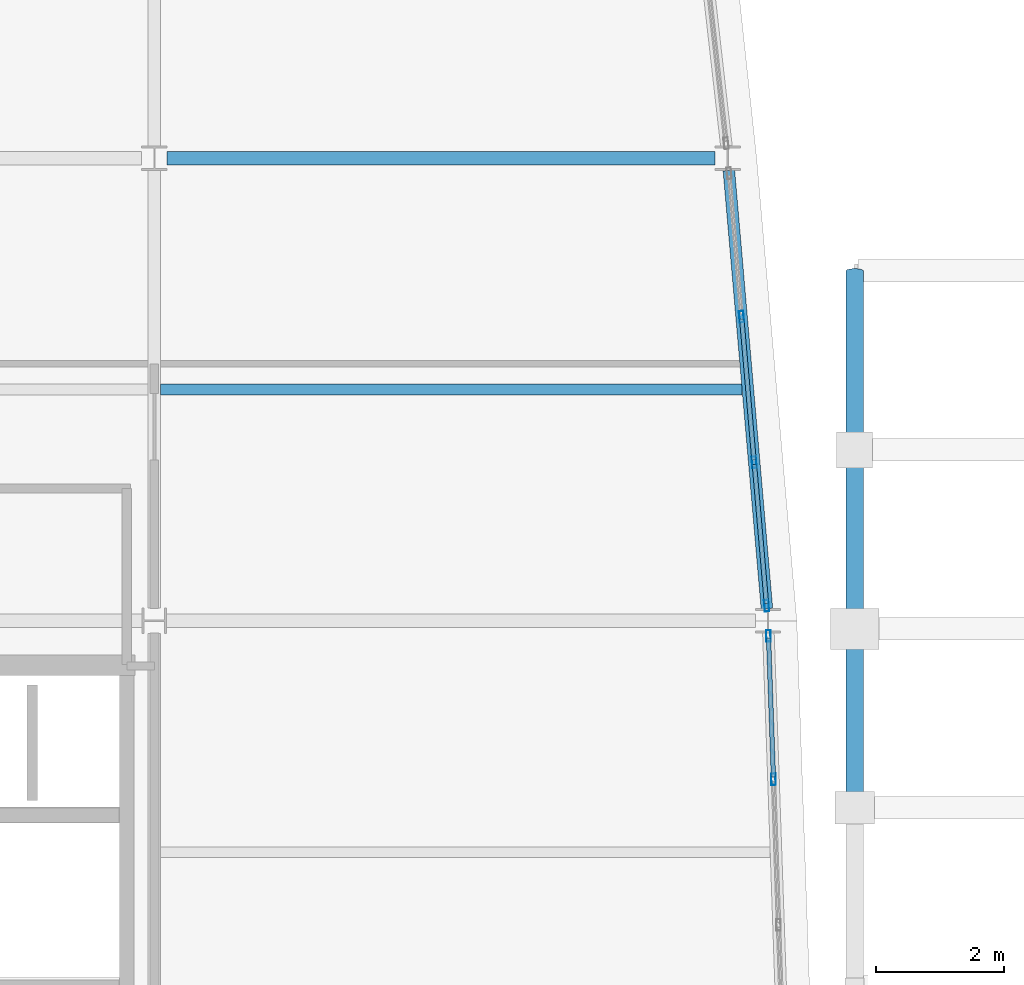
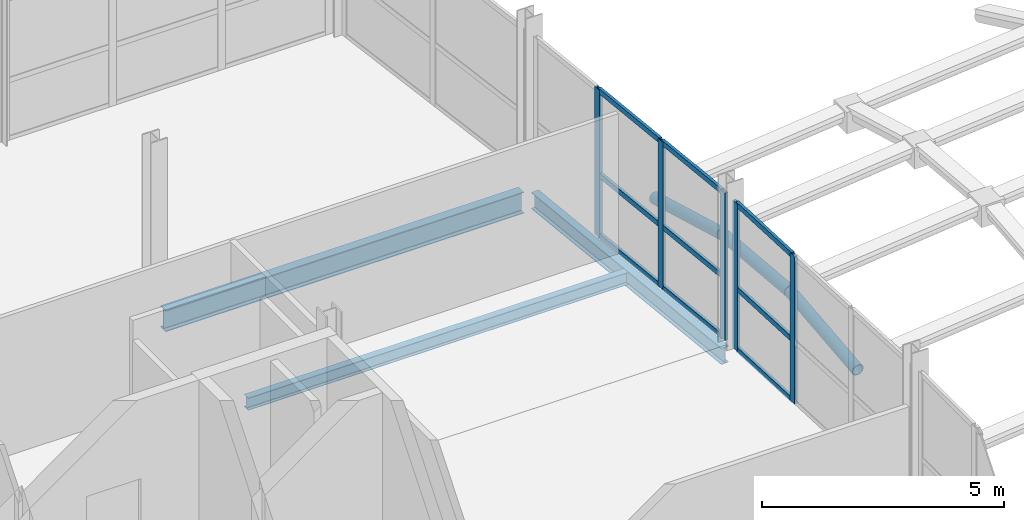
# One storey, part 12 of 36: 14 members, 6 beams, 2 elements without a shape of their own.
"""IFC4 building model written with IfcOpenShell, lengths in metres."""

import ifcopenshell
import ifcopenshell.guid

model = None  # the IFC model being written
_history = None  # IfcOwnerHistory: only IFC2X3 demands one
_inside = {}  # id of a spatial element -> (the spatial element, [elements in it])
_under = {}  # id of a project, library or spatial element -> (it, [spatial elements below it])
_declared = {}  # id of a project -> (the project, [libraries it declares])
_typed = {}  # id of a type object -> (the type object, [elements of that type])
_made_of = {}  # id of a material, layer set ... -> (it, [elements and type objects made of it])


def new_model(schema):
    """Start an empty IFC model of exactly this schema.

    Asked for "IFC4X3", IfcOpenShell would pick the latest addendum, in which some entities
    have other attributes; the version numbers below select the first issue.
    IFC2X3 requires an IfcOwnerHistory on every rooted entity: one is made here for all.
    """
    global model, _history
    if schema == "IFC4X3":
        model = ifcopenshell.file(schema_version=(4, 3, 0, 0))
    else:
        model = ifcopenshell.file(schema=schema)
    _inside.clear()
    _under.clear()
    _declared.clear()
    _typed.clear()
    _made_of.clear()
    _history = None
    if model.schema == "IFC2X3":
        org = make("IfcOrganization", Name="unknown")
        user = make(
            "IfcPersonAndOrganization",
            ThePerson=make("IfcPerson", FamilyName="unknown"),
            TheOrganization=org,
        )
        app = make(
            "IfcApplication",
            ApplicationDeveloper=org,
            Version="unknown",
            ApplicationFullName="unknown",
            ApplicationIdentifier="unknown",
        )
        _history = make(
            "IfcOwnerHistory",
            OwningUser=user,
            OwningApplication=app,
            ChangeAction="ADDED",
            CreationDate=0,
        )
    return model


def make(cls, **values):
    """One entity of the class cls with the attributes given. An attribute that is None is left unset."""
    return model.create_entity(
        cls, **{name: value for name, value in values.items() if value is not None}
    )


def rooted(cls, **values):
    """An entity with a GlobalId (a new one), such as an element, a storey or a relation."""
    return make(cls, GlobalId=ifcopenshell.guid.new(), OwnerHistory=_history, **values)


def si_unit(unit_type, name, prefix=None):
    """IfcSIUnit, for example si_unit("LENGTHUNIT", "METRE", prefix="MILLI")."""
    return make("IfcSIUnit", UnitType=unit_type, Prefix=prefix, Name=name)


def assignment(units):
    """IfcUnitAssignment: the units of a project."""
    return None if units is None else make("IfcUnitAssignment", Units=units)


def point(xyz):
    """IfcCartesianPoint."""
    return None if xyz is None else make("IfcCartesianPoint", Coordinates=xyz)


def direction(xyz):
    """IfcDirection."""
    return None if xyz is None else make("IfcDirection", DirectionRatios=xyz)


def frame(location, z_axis=None, x_axis=None):
    """IfcAxis2Placement3D, a coordinate frame: its origin and axes. An axis left out is left unset."""
    return make(
        "IfcAxis2Placement3D",
        Location=point(location),
        Axis=direction(z_axis),
        RefDirection=direction(x_axis),
    )


def frame_2d(location, x_axis=None):
    """IfcAxis2Placement2D, a coordinate frame in the plane: its origin and x axis."""
    return make(
        "IfcAxis2Placement2D", Location=point(location), RefDirection=direction(x_axis)
    )


def origin():
    """The frame at (0, 0, 0) with its axes left unset."""
    return frame((0.0, 0.0, 0.0))


def origin_2d():
    """The frame at (0, 0) in the plane with its x axis left unset."""
    return frame_2d((0.0, 0.0))


def place(relative_to, where):
    """IfcLocalPlacement: puts the frame where relative to a parent placement (None: the world)."""
    return make(
        "IfcLocalPlacement", PlacementRelTo=relative_to, RelativePlacement=where
    )


def context(
    kind, dimensions, precision=None, world=None, true_north=None, identifier=None
):
    """IfcGeometricRepresentationContext, for example the 3D "Model" context."""
    return make(
        "IfcGeometricRepresentationContext",
        ContextIdentifier=identifier,
        ContextType=kind,
        CoordinateSpaceDimension=dimensions,
        Precision=precision,
        WorldCoordinateSystem=world,
        TrueNorth=true_north,
    )


def subcontext(parent, identifier, kind, view, scale=None):
    """IfcGeometricRepresentationSubContext, for example "Body" below "Model"."""
    return make(
        "IfcGeometricRepresentationSubContext",
        ContextIdentifier=identifier,
        ContextType=kind,
        ParentContext=parent,
        TargetScale=scale,
        TargetView=view,
    )


def project(units=None, contexts=None):
    """IfcProject with its units and contexts."""
    return rooted(
        "IfcProject",
        Name="project",
        RepresentationContexts=contexts,
        UnitsInContext=assignment(units),
    )


def spatial(cls, under=None, at=None, **own):
    """A site, building, storey or space (cls), placed at a placement, below another one or the project."""
    s = rooted(cls, ObjectPlacement=at, **own)
    if under is not None:
        _under.setdefault(under.id(), (under, []))[1].append(s)
    return s


def profile(cls, at=None, kind="AREA", **sizes):
    """A parametric profile (cls). Its sizes go by their IFC names, for example OverallWidth=200.0."""
    return make(cls, ProfileType=kind, Position=at, **sizes)


def hollow_rectangle(**sizes):
    """IfcRectangleHollowProfileDef."""
    return profile("IfcRectangleHollowProfileDef", **sizes)


def hollow_circle(**sizes):
    """IfcCircleHollowProfileDef."""
    return profile("IfcCircleHollowProfileDef", **sizes)


def i_section(**sizes):
    """IfcIShapeProfileDef."""
    return profile("IfcIShapeProfileDef", **sizes)


def extrude(swept, where, along, depth):
    """IfcExtrudedAreaSolid: the profile swept, set in the frame where, extruded along a direction by depth."""
    return make(
        "IfcExtrudedAreaSolid",
        SweptArea=swept,
        Position=where,
        ExtrudedDirection=direction(along),
        Depth=depth,
    )


def shape(context_of_items, identifier, shape_type, items):
    """IfcShapeRepresentation: the items that make up one representation, for example the "Body"."""
    return make(
        "IfcShapeRepresentation",
        ContextOfItems=context_of_items,
        RepresentationIdentifier=identifier,
        RepresentationType=shape_type,
        Items=items,
    )


def material(Name=None, Category=None):
    """IfcMaterial."""
    return make("IfcMaterial", Name=Name, Category=Category)


def layer(
    of_material, thickness, ventilated=None, Name=None, Category=None, Priority=None
):
    """IfcMaterialLayer: one layer of a wall or slab, of a material (None: an air gap)."""
    return make(
        "IfcMaterialLayer",
        Material=of_material,
        LayerThickness=thickness,
        IsVentilated=ventilated,
        Name=Name,
        Category=Category,
        Priority=Priority,
    )


def layer_set(layers, Name=None):
    """IfcMaterialLayerSet."""
    return make("IfcMaterialLayerSet", MaterialLayers=layers, LayerSetName=Name)


def material_profile(
    of_material, cross_section, Name=None, Category=None, Priority=None
):
    """IfcMaterialProfile: a cross section and its material."""
    return make(
        "IfcMaterialProfile",
        Name=Name,
        Material=of_material,
        Profile=cross_section,
        Priority=Priority,
        Category=Category,
    )


def profile_set(profiles, Name=None, composite=None):
    """IfcMaterialProfileSet."""
    return make(
        "IfcMaterialProfileSet",
        Name=Name,
        MaterialProfiles=profiles,
        CompositeProfile=composite,
    )


def made_of(thing, what):
    """Note that an element or type object is made of a material, layer set ...; save() writes the relation."""
    if what is not None:
        _made_of.setdefault(what.id(), (what, []))[1].append(thing)
    return thing


def type_object(cls, material=None, **own):
    """A type object (cls), such as IfcWallType, which elements share."""
    return made_of(rooted(cls, **own), material)


def element(
    cls,
    number,
    at=None,
    inside=None,
    cuts=None,
    type_object=None,
    material=None,
    context=None,
    identifier="Body",
    shape_type=None,
    held_by="IfcProductDefinitionShape",
    body=None,
    shapes=None,
    **own,
):
    """One element of the class cls, such as IfcWall. Its Tag is "e" and its number.

    at: its placement. inside: the storey or other place that contains it. cuts: it is an
    opening in that element (IfcRelVoidsElement). A single representation is given by context,
    identifier, shape_type and body (its items); several are given by shapes. held_by: the class
    of the entity that holds the representations. save() writes the other relations.
    """
    e = rooted(cls, Tag="e%d" % number, ObjectPlacement=at, **own)
    if body is not None:
        shapes = [shape(context, identifier, shape_type, body)]
    if shapes is not None:
        e.Representation = make(held_by, Representations=shapes)
    if inside is not None:
        _inside.setdefault(inside.id(), (inside, []))[1].append(e)
    if cuts is not None:
        rooted(
            "IfcRelVoidsElement", RelatingBuildingElement=cuts, RelatedOpeningElement=e
        )
    if type_object is not None:
        _typed.setdefault(type_object.id(), (type_object, []))[1].append(e)
    return made_of(e, material)


def aggregate(whole, parts):
    """IfcRelAggregates: a whole, such as a stair, and the parts it consists of."""
    return rooted("IfcRelAggregates", RelatingObject=whole, RelatedObjects=parts)


def save(model, path):
    """Write the relations noted so far, then the file.

    IfcRelAggregates (storeys below a building ...), IfcRelContainedInSpatialStructure (elements
    in a storey), IfcRelDefinesByType, IfcRelAssociatesMaterial and IfcRelDeclares: one each for
    every whole, place, type object, material and project.
    """
    for whole, parts in _under.values():
        aggregate(whole, parts)
    for where, things in _inside.values():
        rooted(
            "IfcRelContainedInSpatialStructure",
            RelatedElements=things,
            RelatingStructure=where,
        )
    for kind, things in _typed.values():
        rooted("IfcRelDefinesByType", RelatedObjects=things, RelatingType=kind)
    for what, things in _made_of.values():
        rooted("IfcRelAssociatesMaterial", RelatedObjects=things, RelatingMaterial=what)
    for by, libraries in _declared.values():
        rooted("IfcRelDeclares", RelatingContext=by, RelatedDefinitions=libraries)
    model.write(path)


model = new_model("IFC4")

# Units and contexts
model_context = context("Model", 3, precision=1e-05, world=origin(), true_north=direction((0.0, 1.0)))
body_context = subcontext(model_context, "Body", "Model", "MODEL_VIEW")
ifc_project = project(units=[si_unit("LENGTHUNIT", "METRE"), si_unit("AREAUNIT", "SQUARE_METRE"), si_unit("VOLUMEUNIT", "CUBIC_METRE"), si_unit("PLANEANGLEUNIT", "RADIAN"), si_unit("MASSUNIT", "GRAM", prefix="KILO")], contexts=[model_context])

# Site, building, storey
site_placement = place(None, origin())
site = spatial("IfcSite", under=ifc_project, at=site_placement, CompositionType="ELEMENT")
building_placement = place(site_placement, origin())
building = spatial("IfcBuilding", under=site, at=building_placement, Name="Quillay Park Conservatory", CompositionType="ELEMENT")
storey_placement = place(building_placement, frame((0.0, 0.0, 18.300048828125)))
storey = spatial("IfcBuildingStorey", under=building, at=storey_placement, Name="L04", CompositionType="ELEMENT", Elevation=18.300048828125)

# Beam
ifc_material_1 = material(Name="Steel ASTM A992 Grade 50", Category="steel")
ifc_material_profile_1 = material_profile(ifc_material_1, i_section(OverallWidth=0.166015625, OverallDepth=0.31298828125, WebThickness=0.006591796875, FlangeThickness=0.01123046875, FilletRadius=0.010009765625, at=origin_2d()), Name="W310x45")
ifc_profile_set_1 = profile_set([ifc_material_profile_1], Name="Steel ASTM A992 Grade 50")
beam_type_1 = type_object("IfcBeamType", Name="COMPOSITE FLOOR JOIST W310 X45", PredefinedType="JOIST", material=ifc_profile_set_1)
beam_1_placement = place(storey_placement, frame((19.845947265625, 103.199951171875, -0.3564453125), z_axis=(1.0, 0.0, 0.0), x_axis=(0.0, 1.0, 0.0)))
element("IfcBeam", 1, at=beam_1_placement, inside=storey, type_object=beam_type_1, Name="L04 beam BM-J-0371", PredefinedType="JOIST", context=body_context, shape_type="SweptSolid", body=[
    extrude(i_section(OverallWidth=0.166015625, OverallDepth=0.31298828125, WebThickness=0.006591796875, FlangeThickness=0.01123046875, FilletRadius=0.010009765625, at=origin_2d()), origin(), (0.0, 0.0, 1.0), 9.051513671875),
])

# Curtain wall, members
ifc_material_2 = material(Name="Thermally Broken Anodised Aluminium 6063-T6", Category="aluminium")
ifc_layer = layer(ifc_material_2, 0.179931640625)
ifc_layer_set = layer_set([ifc_layer], Name="UNITISED CURTAIN WALL TOWER (Thermally Broken Anodised Aluminium 6063-T6)")
curtain_wall_type = type_object("IfcCurtainWallType", Name="UNITISED CURTAIN WALL TOWER", PredefinedType="USERDEFINED", material=ifc_layer_set)
curtain_wall_1_placement = place(storey_placement, origin())
curtain_wall_1 = element("IfcCurtainWall", 2, at=curtain_wall_1_placement, inside=storey, type_object=curtain_wall_type, Name="L04 Unitised Curtain Wall 042", ObjectType="UNITISED CURTAIN WALL", PredefinedType="USERDEFINED")
ifc_material_3 = material(Name="Thermally Broken Anodised Aluminium 6063-T6", Category="aluminium")
ifc_material_profile_2 = material_profile(ifc_material_3, hollow_rectangle(XDim=0.070068359375, YDim=0.179931640625, WallThickness=0.00390625, at=origin_2d()), Name="AL70x180x4")
ifc_profile_set_2 = profile_set([ifc_material_profile_2], Name="Thermally Broken Anodised Aluminium 6063-T6")
member_type_1 = type_object("IfcMemberType", Name="CURTAIN WALL MULLION 70 X180", PredefinedType="MULLION", material=ifc_profile_set_2)
member_1_placement = place(storey_placement, frame((29.30810546875, 99.365234375, 0.0), z_axis=(0.0, 0.0, 1.0), x_axis=(0.999397310446, 0.034713338537, 0.0)))
member_1 = element("IfcMember", 3, at=member_1_placement, type_object=member_type_1, Name="CW-T1 mullion 1", PredefinedType="MULLION", context=body_context, shape_type="SweptSolid", body=[
    extrude(hollow_rectangle(XDim=0.070068359375, YDim=0.179931640625, WallThickness=0.00390625, at=origin_2d()), origin(), (0.0, 0.0, 1.0), 3.7119140625),
])
member_2_placement = place(storey_placement, frame((29.3857421875, 97.13330078125, 0.0), z_axis=(0.0, 0.0, 1.0), x_axis=(0.999397310446, 0.034713338537, 0.0)))
member_2 = element("IfcMember", 4, at=member_2_placement, type_object=member_type_1, Name="CW-T1 mullion 2", PredefinedType="MULLION", context=body_context, shape_type="SweptSolid", body=[
    extrude(hollow_rectangle(XDim=0.070068359375, YDim=0.179931640625, WallThickness=0.00390625, at=origin_2d()), origin(), (0.0, 0.0, 1.0), 3.7119140625),
])

curtain_wall_2_placement = place(storey_placement, origin())
curtain_wall_2 = element("IfcCurtainWall", 5, at=curtain_wall_2_placement, inside=storey, type_object=curtain_wall_type, Name="L04 Unitised Curtain Wall 043", ObjectType="UNITISED CURTAIN WALL", PredefinedType="USERDEFINED")
member_3_placement = place(storey_placement, frame((28.88916015625, 104.33349609375, 0.0), z_axis=(0.0, 0.0, 1.0), x_axis=(0.996253548413, 0.086480444465, 0.0)))
member_3 = element("IfcMember", 6, at=member_3_placement, type_object=member_type_1, Name="CW-T1 mullion 2", PredefinedType="MULLION", context=body_context, shape_type="SweptSolid", body=[
    extrude(hollow_rectangle(XDim=0.070068359375, YDim=0.179931640625, WallThickness=0.00390625, at=origin_2d()), origin(), (0.0, 0.0, 1.0), 3.7119140625),
])
member_4_placement = place(storey_placement, frame((29.0859375, 102.06640625, 0.0), z_axis=(0.0, 0.0, 1.0), x_axis=(0.996253548413, 0.086480444465, 0.0)))
member_4 = element("IfcMember", 7, at=member_4_placement, type_object=member_type_1, Name="CW-T1 mullion 3", PredefinedType="MULLION", context=body_context, shape_type="SweptSolid", body=[
    extrude(hollow_rectangle(XDim=0.070068359375, YDim=0.179931640625, WallThickness=0.00390625, at=origin_2d()), origin(), (0.0, 0.0, 1.0), 3.7119140625),
])
member_5_placement = place(storey_placement, frame((29.27978515625, 99.834228515625, 0.0), z_axis=(0.0, 0.0, 1.0), x_axis=(0.996253548413, 0.086480444465, 0.0)))
member_5 = element("IfcMember", 8, at=member_5_placement, type_object=member_type_1, Name="CW-T1 mullion 4", PredefinedType="MULLION", context=body_context, shape_type="SweptSolid", body=[
    extrude(hollow_rectangle(XDim=0.070068359375, YDim=0.179931640625, WallThickness=0.00390625, at=origin_2d()), origin(), (0.0, 0.0, 1.0), 3.7119140625),
])

# Member
ifc_material_4 = material(Name="Thermally Broken Anodised Aluminium 6063-T6", Category="aluminium")
ifc_material_profile_3 = material_profile(ifc_material_4, hollow_rectangle(XDim=0.070068359375, YDim=0.1298828125, WallThickness=0.003173828125, at=origin_2d()), Name="AL70x130x3.2")
ifc_profile_set_3 = profile_set([ifc_material_profile_3], Name="Thermally Broken Anodised Aluminium 6063-T6")
member_type_2 = type_object("IfcMemberType", Name="CURTAIN WALL TRANSOM 70 X130", PredefinedType="USERDEFINED", material=ifc_profile_set_3)
member_6_placement = place(storey_placement, frame((29.309326171875, 99.330078125, 0.034912109375), z_axis=(0.034765508592, -0.999395496994, 0.0), x_axis=(0.999395496994, 0.034765508592, 0.0)))
member_6 = element("IfcMember", 9, at=member_6_placement, type_object=member_type_2, Name="CW-T1 transom 1.1", ObjectType="TRANSOM", PredefinedType="USERDEFINED", context=body_context, shape_type="SweptSolid", body=[
    extrude(hollow_rectangle(XDim=0.070068359375, YDim=0.1298828125, WallThickness=0.003173828125, at=origin_2d()), origin(), (0.0, 0.0, 1.0), 2.162841796875),
])

member_7_placement = place(storey_placement, frame((29.309326171875, 99.330078125, 1.558837890625), z_axis=(0.034765508592, -0.999395496994, 0.0), x_axis=(0.999395496994, 0.034765508592, 0.0)))
member_7 = element("IfcMember", 10, at=member_7_placement, type_object=member_type_2, Name="CW-T1 transom 1.2", ObjectType="TRANSOM", PredefinedType="USERDEFINED", context=body_context, shape_type="SweptSolid", body=[
    extrude(hollow_rectangle(XDim=0.070068359375, YDim=0.1298828125, WallThickness=0.003173828125, at=origin_2d()), origin(), (0.0, 0.0, 1.0), 2.162841796875),
])

member_8_placement = place(storey_placement, frame((29.309326171875, 99.330078125, 3.677001953125), z_axis=(0.034765508592, -0.999395496994, 0.0), x_axis=(0.999395496994, 0.034765508592, 0.0)))
member_8 = element("IfcMember", 11, at=member_8_placement, type_object=member_type_2, Name="CW-T1 transom 1.3", ObjectType="TRANSOM", PredefinedType="USERDEFINED", context=body_context, shape_type="SweptSolid", body=[
    extrude(hollow_rectangle(XDim=0.070068359375, YDim=0.1298828125, WallThickness=0.003173828125, at=origin_2d()), origin(), (0.0, 0.0, 1.0), 2.162841796875),
])

aggregate(curtain_wall_1, [member_1, member_2, member_6, member_7, member_8])

member_9_placement = place(storey_placement, frame((28.89208984375, 104.298583984375, 0.034912109375), z_axis=(0.086452876664, -0.99625594107, 0.0), x_axis=(0.99625594107, 0.086452876664, 0.0)))
member_9 = element("IfcMember", 12, at=member_9_placement, type_object=member_type_2, Name="CW-T1 transom 2.1", ObjectType="TRANSOM", PredefinedType="USERDEFINED", context=body_context, shape_type="SweptSolid", body=[
    extrude(hollow_rectangle(XDim=0.070068359375, YDim=0.1298828125, WallThickness=0.003173828125, at=origin_2d()), origin(), (0.0, 0.0, 1.0), 2.20556640625),
])

member_10_placement = place(storey_placement, frame((28.89208984375, 104.298583984375, 1.558837890625), z_axis=(0.086452876664, -0.99625594107, 0.0), x_axis=(0.99625594107, 0.086452876664, 0.0)))
member_10 = element("IfcMember", 13, at=member_10_placement, type_object=member_type_2, Name="CW-T1 transom 2.2", ObjectType="TRANSOM", PredefinedType="USERDEFINED", context=body_context, shape_type="SweptSolid", body=[
    extrude(hollow_rectangle(XDim=0.070068359375, YDim=0.1298828125, WallThickness=0.003173828125, at=origin_2d()), origin(), (0.0, 0.0, 1.0), 2.20556640625),
])

member_11_placement = place(storey_placement, frame((28.89208984375, 104.298583984375, 3.677001953125), z_axis=(0.086452876664, -0.99625594107, 0.0), x_axis=(0.99625594107, 0.086452876664, 0.0)))
member_11 = element("IfcMember", 14, at=member_11_placement, type_object=member_type_2, Name="CW-T1 transom 2.3", ObjectType="TRANSOM", PredefinedType="USERDEFINED", context=body_context, shape_type="SweptSolid", body=[
    extrude(hollow_rectangle(XDim=0.070068359375, YDim=0.1298828125, WallThickness=0.003173828125, at=origin_2d()), origin(), (0.0, 0.0, 1.0), 2.20556640625),
])

member_12_placement = place(storey_placement, frame((29.0888671875, 102.031494140625, 0.034912109375), z_axis=(0.086498562623, -0.996251975488, 0.0), x_axis=(0.996251975488, 0.086498562623, 0.0)))
member_12 = element("IfcMember", 15, at=member_12_placement, type_object=member_type_2, Name="CW-T1 transom 3.1", ObjectType="TRANSOM", PredefinedType="USERDEFINED", context=body_context, shape_type="SweptSolid", body=[
    extrude(hollow_rectangle(XDim=0.070068359375, YDim=0.1298828125, WallThickness=0.003173828125, at=origin_2d()), origin(), (0.0, 0.0, 1.0), 2.17041015625),
])

member_13_placement = place(storey_placement, frame((29.0888671875, 102.031494140625, 1.558837890625), z_axis=(0.086498562623, -0.996251975488, 0.0), x_axis=(0.996251975488, 0.086498562623, 0.0)))
member_13 = element("IfcMember", 16, at=member_13_placement, type_object=member_type_2, Name="CW-T1 transom 3.2", ObjectType="TRANSOM", PredefinedType="USERDEFINED", context=body_context, shape_type="SweptSolid", body=[
    extrude(hollow_rectangle(XDim=0.070068359375, YDim=0.1298828125, WallThickness=0.003173828125, at=origin_2d()), origin(), (0.0, 0.0, 1.0), 2.17041015625),
])

member_14_placement = place(storey_placement, frame((29.0888671875, 102.031494140625, 3.677001953125), z_axis=(0.086498562623, -0.996251975488, 0.0), x_axis=(0.996251975488, 0.086498562623, 0.0)))
member_14 = element("IfcMember", 17, at=member_14_placement, type_object=member_type_2, Name="CW-T1 transom 3.3", ObjectType="TRANSOM", PredefinedType="USERDEFINED", context=body_context, shape_type="SweptSolid", body=[
    extrude(hollow_rectangle(XDim=0.070068359375, YDim=0.1298828125, WallThickness=0.003173828125, at=origin_2d()), origin(), (0.0, 0.0, 1.0), 2.17041015625),
])

aggregate(curtain_wall_2, [member_3, member_4, member_5, member_9, member_10, member_11, member_12, member_13, member_14])

# Beams
ifc_material_5 = material(Name="Steel S355J2H", Category="steel")
ifc_material_profile_4 = material_profile(ifc_material_5, hollow_circle(Radius=0.136474609375, WallThickness=0.012451171875, at=origin_2d()), Name="CHS273x12.5")
ifc_profile_set_4 = profile_set([ifc_material_profile_4], Name="Steel S355J2H")
beam_type_2 = type_object("IfcBeamType", Name="GRIDSHELL ARCH BEAM CHS273", PredefinedType="USERDEFINED", material=ifc_profile_set_4)
beam_2_placement = place(storey_placement, frame((30.64990234375, 96.68994140625, 0.62451171875), z_axis=(0.0, 0.99451309317, 0.104612176701), x_axis=(-1.0, 0.0, 0.0)))
element("IfcBeam", 18, at=beam_2_placement, inside=storey, type_object=beam_type_2, Name="Gridshell member GS-ARCH-00-04", ObjectType="GRIDSHELL ARCH BEAM", PredefinedType="USERDEFINED", context=body_context, shape_type="SweptSolid", body=[
    extrude(hollow_circle(Radius=0.136474609375, WallThickness=0.012451171875, at=origin_2d()), origin(), (0.0, 0.0, 1.0), 2.800537109375),
])
beam_3_placement = place(storey_placement, frame((30.64990234375, 99.47509765625, 0.91748046875), z_axis=(0.0, 0.996118373088, -0.088023785401), x_axis=(-1.0, 0.0, 0.0)))
element("IfcBeam", 19, at=beam_3_placement, inside=storey, type_object=beam_type_2, Name="Gridshell member GS-ARCH-00-05", ObjectType="GRIDSHELL ARCH BEAM", PredefinedType="USERDEFINED", context=body_context, shape_type="SweptSolid", body=[
    extrude(hollow_circle(Radius=0.136474609375, WallThickness=0.012451171875, at=origin_2d()), origin(), (0.0, 0.0, 1.0), 2.795654296875),
])
beam_4_placement = place(storey_placement, frame((30.64990234375, 102.260009765625, 0.67138671875), z_axis=(0.0, 0.962831532331, -0.2701026478), x_axis=(-1.0, 0.0, 0.0)))
element("IfcBeam", 20, at=beam_4_placement, inside=storey, type_object=beam_type_2, Name="Gridshell member GS-ARCH-00-06", ObjectType="GRIDSHELL ARCH BEAM", PredefinedType="USERDEFINED", context=body_context, shape_type="SweptSolid", body=[
    extrude(hollow_circle(Radius=0.136474609375, WallThickness=0.012451171875, at=origin_2d()), origin(), (0.0, 0.0, 1.0), 2.892333984375),
])
ifc_material_6 = material(Name="Steel ASTM A992 Grade 50", Category="steel")
ifc_material_profile_5 = material_profile(ifc_material_6, i_section(OverallWidth=0.179931640625, OverallDepth=0.4130859375, WebThickness=0.009765625, FlangeThickness=0.01611328125, FilletRadius=0.011962890625, at=origin_2d()), Name="W410x74")
ifc_profile_set_5 = profile_set([ifc_material_profile_5], Name="Steel ASTM A992 Grade 50")
beam_type_3 = type_object("IfcBeamType", Name="PERIMETER SPANDREL BEAM W410 X74", PredefinedType="SPANDREL", material=ifc_profile_set_5)
beam_5_placement = place(storey_placement, frame((29.28369140625, 99.789306640625, -0.406494140625), z_axis=(-0.086503445384, 0.996251551535, 0.0), x_axis=(-0.996251551535, -0.086503445384, 0.0)))
element("IfcBeam", 21, at=beam_5_placement, inside=storey, type_object=beam_type_3, Name="L04 beam BM-SPE-0367", PredefinedType="SPANDREL", context=body_context, shape_type="SweptSolid", body=[
    extrude(i_section(OverallWidth=0.179931640625, OverallDepth=0.4130859375, WebThickness=0.009765625, FlangeThickness=0.01611328125, FilletRadius=0.011962890625, at=origin_2d()), origin(), (0.0, 0.0, 1.0), 6.846923828125),
])
ifc_material_7 = material(Name="Steel ASTM A992 Grade 50", Category="steel")
ifc_material_profile_6 = material_profile(ifc_material_7, i_section(OverallWidth=0.2109375, OverallDepth=0.5390625, WebThickness=0.01171875, FlangeThickness=0.018798828125, FilletRadius=0.013916015625, at=origin_2d()), Name="W530x109")
ifc_profile_set_6 = profile_set([ifc_material_profile_6], Name="Steel ASTM A992 Grade 50")
beam_type_4 = type_object("IfcBeamType", Name="PRIMARY FLOOR GIRDER W530 X109", PredefinedType="BEAM", material=ifc_profile_set_6)
beam_6_placement = place(storey_placement, frame((19.947509765625, 106.800048828125, -0.469482421875), z_axis=(1.0, 0.0, 0.0), x_axis=(0.0, 1.0, 0.0)))
element("IfcBeam", 22, at=beam_6_placement, inside=storey, type_object=beam_type_4, Name="L04 beam BM-G-0330", PredefinedType="BEAM", context=body_context, shape_type="SweptSolid", body=[
    extrude(i_section(OverallWidth=0.2109375, OverallDepth=0.5390625, WebThickness=0.01171875, FlangeThickness=0.018798828125, FilletRadius=0.013916015625, at=origin_2d()), origin(), (0.0, 0.0, 1.0), 8.530029296875),
])

save(model, "model.ifc")
